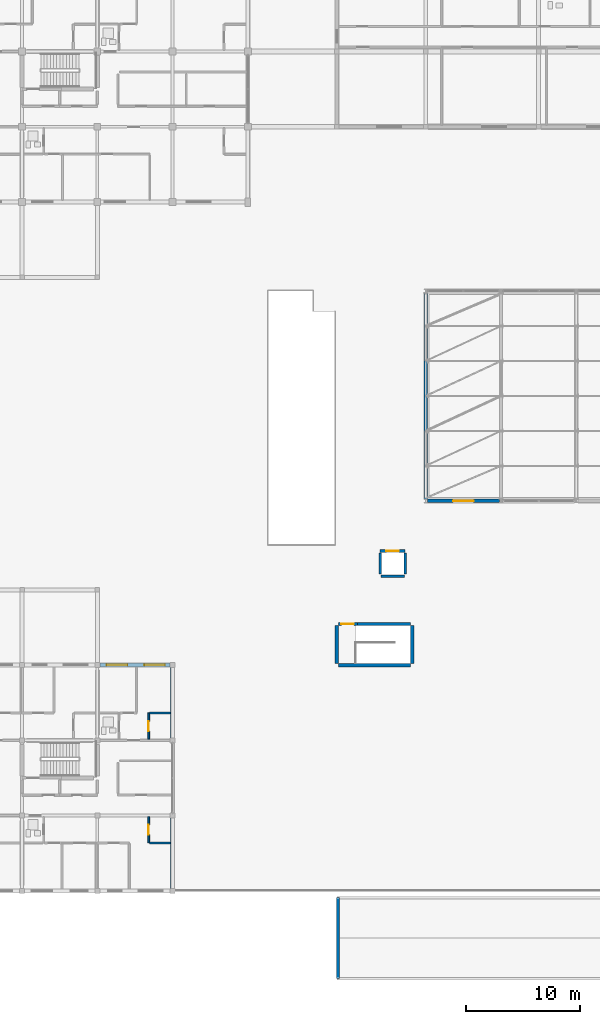
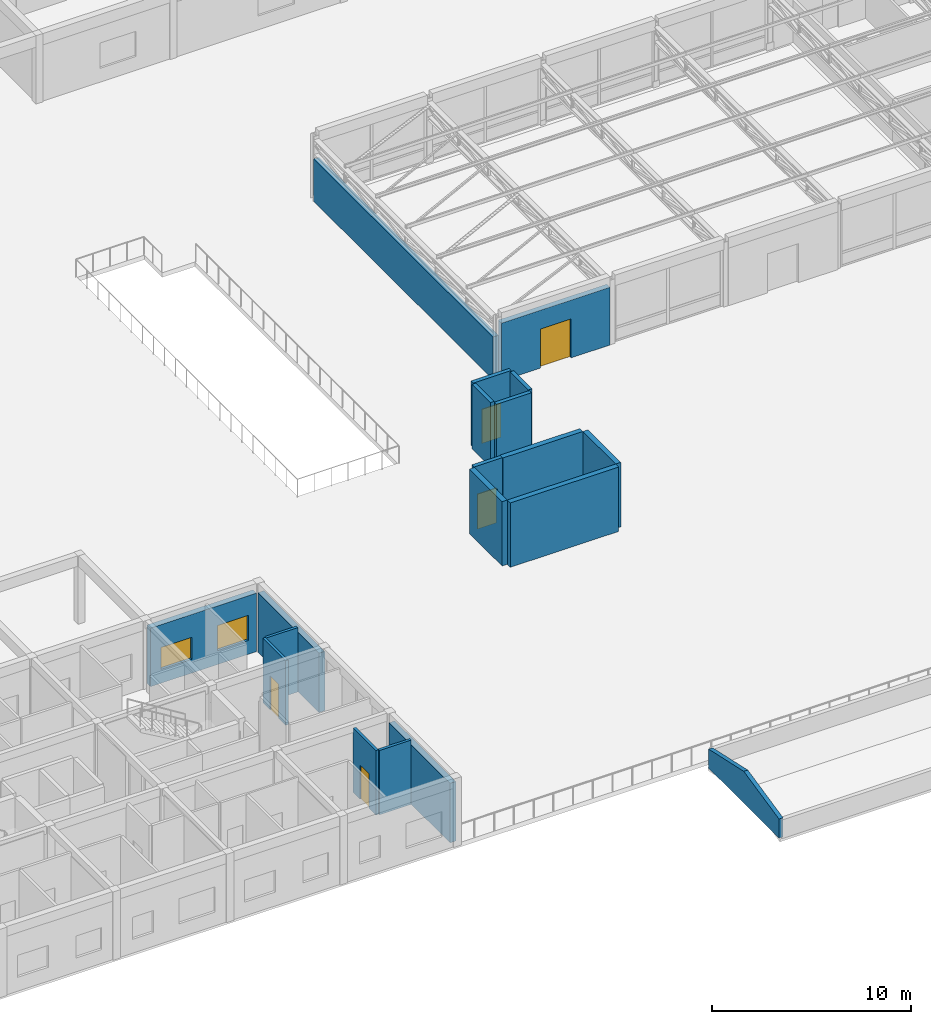
# One storey, part 66 of 92: 19 walls, 5 doors, 2 windows, 7 openings.
"""IFC4 building model written with IfcOpenShell, lengths in metres."""

from ifc_helpers import new_model, si_unit, direction, frame, frame_2d, origin, place, context, subcontext, project, spatial, polyline, rectangle, outline, extrude, material, layer, layer_set, type_object, element, fill, save


model = new_model("IFC4")

# Units and contexts
model_context = context("Model", 3, precision=1e-05, world=origin(), true_north=direction((0.0, 1.0)))
body_context = subcontext(model_context, "Body", "Model", "MODEL_VIEW")
ifc_project = project(units=[si_unit("LENGTHUNIT", "METRE"), si_unit("AREAUNIT", "SQUARE_METRE"), si_unit("VOLUMEUNIT", "CUBIC_METRE"), si_unit("PLANEANGLEUNIT", "RADIAN"), si_unit("MASSUNIT", "GRAM", prefix="KILO")], contexts=[model_context])

# Site, building, storey
site_placement = place(None, origin())
site = spatial("IfcSite", under=ifc_project, at=site_placement, CompositionType="ELEMENT")
building_placement = place(site_placement, origin())
building = spatial("IfcBuilding", under=site, at=building_placement, Name="Kernevlak Ridge Housing Community", CompositionType="ELEMENT")
storey_placement = place(building_placement, frame((0.0, 0.0, 4.199951171875)))
storey = spatial("IfcBuildingStorey", under=building, at=storey_placement, Name="L01", CompositionType="ELEMENT", Elevation=4.199951171875)

# Wall, opening, door
ifc_material_1 = material(Name="Concrete block masonry M10", Category="masonry")
ifc_layer_1 = layer(ifc_material_1, 0.320068359375, Name="Concrete block masonry M10")
ifc_layer_set_1 = layer_set([ifc_layer_1], Name="Concrete block masonry M10")
wall_type_1 = type_object("IfcWallType", Name="EW-02", PredefinedType="STANDARD", material=ifc_layer_set_1)
wall_1_placement = place(storey_placement, frame((64.35009765625, 49.800048828125, 0.0), z_axis=(0.0, 0.0, 1.0), x_axis=(1.0, 0.0, 0.0)))
wall_1 = element("IfcWall", 1, at=wall_1_placement, inside=storey, type_object=wall_type_1, Name="Exterior wall EW-02 L01 912", PredefinedType="STANDARD", context=body_context, shape_type="SweptSolid", body=[
    extrude(rectangle(XDim=6.2998046875, YDim=0.320068359375, at=frame_2d((3.14990234375, 0.0))), origin(), (0.0, 0.0, 1.0), 3.550048828125),
])
opening_1_placement = place(wall_1_placement, frame((2.25, 0.0, 0.0)))
opening_1 = element("IfcOpeningElement", 2, at=opening_1_placement, cuts=wall_1, Name="Opening E813", PredefinedType="OPENING", context=body_context, shape_type="SweptSolid", body=[
    extrude(rectangle(XDim=1.800048828125, YDim=2.39990234375, at=frame_2d((0.89990234375, 1.199951171875))), frame((0.0, 0.169921875, 0.0), z_axis=(0.0, -1.0, 0.0), x_axis=(1.0, 0.0, 0.0)), (0.0, 0.0, 1.0), 0.340087890625),
])
ifc_material_2 = material(Name="Aluminium EN AW-6060 and laminated safety glass", Category="aluminium")
door_type_1 = type_object("IfcDoorType", Name="DT-10", OperationType="DOUBLE_DOOR_SINGLE_SWING", PredefinedType="DOOR", material=ifc_material_2)
door_1_placement = place(opening_1_placement, origin())
door_1 = element("IfcDoor", 3, at=door_1_placement, inside=storey, type_object=door_type_1, Name="Community Hall south plaza exit E813", OperationType="DOUBLE_DOOR_SINGLE_SWING", OverallHeight=2.39990234375, OverallWidth=1.800048828125, PredefinedType="DOOR", context=body_context, shape_type="SweptSolid", body=[
    extrude(rectangle(XDim=1.800048828125, YDim=2.39990234375, at=frame_2d((0.89990234375, 1.199951171875))), frame((0.0, 0.02490234375, 0.0), z_axis=(0.0, -1.0, 0.0), x_axis=(1.0, 0.0, 0.0)), (0.0, 0.0, 1.0), 0.050048828125),
])
fill(opening_1, door_1)

# Wall
wall_2_placement = place(storey_placement, frame((64.199951171875, 49.969970703125, 0.0), z_axis=(0.0, 0.0, 1.0), x_axis=(0.0, 1.0, 0.0)))
element("IfcWall", 4, at=wall_2_placement, inside=storey, type_object=wall_type_1, Name="Exterior wall EW-02 L01 917", PredefinedType="STANDARD", context=body_context, shape_type="SweptSolid", body=[
    extrude(rectangle(XDim=18.06005859375, YDim=0.320068359375, at=frame_2d((9.030029296875, 0.0))), origin(), (0.0, 0.0, 1.0), 2.60009765625),
])

# Wall, openings, windows
ifc_layer_2 = layer(ifc_material_1, 0.340087890625, Name="Concrete block masonry M10")
ifc_layer_set_2 = layer_set([ifc_layer_2], Name="Concrete block masonry M10")
wall_type_2 = type_object("IfcWallType", Name="EW-04", PredefinedType="STANDARD", material=ifc_layer_set_2)
wall_3_placement = place(storey_placement, frame((35.625, 35.39990234375, 0.0), z_axis=(0.0, 0.0, 1.0), x_axis=(1.0, 0.0, 0.0)))
wall_3 = element("IfcWall", 5, at=wall_3_placement, inside=storey, type_object=wall_type_2, Name="Exterior wall EW-04 L01 734", PredefinedType="STANDARD", context=body_context, shape_type="SweptSolid", body=[
    extrude(rectangle(XDim=6.14990234375, YDim=0.340087890625, at=frame_2d((3.074951171875, 0.0))), origin(), (0.0, 0.0, 1.0), 3.60009765625),
])
opening_2_placement = place(wall_3_placement, frame((0.60009765625, 0.0, 0.85009765625)))
opening_2 = element("IfcOpeningElement", 6, at=opening_2_placement, cuts=wall_3, Name="Opening WT-03", PredefinedType="OPENING", context=body_context, shape_type="SweptSolid", body=[
    extrude(rectangle(XDim=1.800048828125, YDim=1.35009765625, at=frame_2d((0.89990234375, 0.675048828125))), frame((0.0, 0.179931640625, 0.0), z_axis=(0.0, -1.0, 0.0), x_axis=(1.0, 0.0, 0.0)), (0.0, 0.0, 1.0), 0.360107421875),
])
opening_3_placement = place(wall_3_placement, frame((3.89990234375, 0.0, 0.85009765625)))
opening_3 = element("IfcOpeningElement", 7, at=opening_3_placement, cuts=wall_3, Name="Opening WT-04", PredefinedType="OPENING", context=body_context, shape_type="SweptSolid", body=[
    extrude(rectangle(XDim=1.800048828125, YDim=1.550048828125, at=frame_2d((0.89990234375, 0.77490234375))), frame((0.0, 0.179931640625, 0.0), z_axis=(0.0, -1.0, 0.0), x_axis=(1.0, 0.0, 0.0)), (0.0, 0.0, 1.0), 0.360107421875),
])
ifc_material_3 = material(Name="Aluminium EN AW-6060 anodised and laminated glass", Category="aluminium")
window_type_1 = type_object("IfcWindowType", Name="WT-03", PartitioningType="SINGLE_PANEL", PredefinedType="WINDOW", material=ifc_material_3)
window_1_placement = place(opening_2_placement, origin())
window_1 = element("IfcWindow", 8, at=window_1_placement, inside=storey, type_object=window_type_1, Name="Window WT-03 L01 604", OverallHeight=1.35009765625, OverallWidth=1.800048828125, PartitioningType="SINGLE_PANEL", PredefinedType="WINDOW", context=body_context, shape_type="SweptSolid", body=[
    extrude(rectangle(XDim=1.800048828125, YDim=1.35009765625, at=frame_2d((0.89990234375, 0.675048828125))), frame((0.0, 0.030029296875, 0.0), z_axis=(0.0, -1.0, 0.0), x_axis=(1.0, 0.0, 0.0)), (0.0, 0.0, 1.0), 0.06005859375),
])
fill(opening_2, window_1)
window_type_2 = type_object("IfcWindowType", Name="WT-04", PartitioningType="SINGLE_PANEL", PredefinedType="WINDOW", material=ifc_material_3)
window_2_placement = place(opening_3_placement, origin())
window_2 = element("IfcWindow", 9, at=window_2_placement, inside=storey, type_object=window_type_2, Name="Window WT-04 L01 605", OverallHeight=1.550048828125, OverallWidth=1.800048828125, PartitioningType="SINGLE_PANEL", PredefinedType="WINDOW", context=body_context, shape_type="SweptSolid", body=[
    extrude(rectangle(XDim=1.800048828125, YDim=1.550048828125, at=frame_2d((0.89990234375, 0.77490234375))), frame((0.0, 0.030029296875, 0.0), z_axis=(0.0, -1.0, 0.0), x_axis=(1.0, 0.0, 0.0)), (0.0, 0.0, 1.0), 0.06005859375),
])
fill(opening_3, window_2)

# Walls
for number, where, z_axis, x_axis, name in (
    (10, (42.0, 15.824951171875, 0.0), (0.0, 0.0, 1.0), (0.0, 1.0, 0.0), "Exterior wall EW-04 L01 737"),
    (11, (42.0, 29.02490234375, 0.0), (0.0, 0.0, 1.0), (0.0, 1.0, 0.0), "Exterior wall EW-04 L01 738"),
):
    element("IfcWall", number, at=place(storey_placement, frame(where, z_axis=z_axis, x_axis=x_axis)), inside=storey, type_object=wall_type_2, Name=name, PredefinedType="STANDARD", context=body_context, shape_type="SweptSolid", body=[
        extrude(rectangle(XDim=6.150146484375, YDim=0.340087890625, at=frame_2d((3.0751953125, 0.0))), origin(), (0.0, 0.0, 1.0), 3.650146484375),
    ])
ifc_material_4 = material(Name="Concrete C35/45", Category="concrete")
ifc_layer_3 = layer(ifc_material_4, 0.235107421875, Name="Concrete C35/45")
ifc_layer_set_3 = layer_set([ifc_layer_3], Name="Concrete C35/45")
wall_type_3 = type_object("IfcWallType", Name="PR-04", PredefinedType="PARAPET", material=ifc_layer_set_3)
wall_4_placement = place(storey_placement, frame((56.5, 15.0, 0.0), z_axis=(0.0, 0.0, 1.0), x_axis=(0.0, -1.0, 0.0)))
element("IfcWall", 12, at=wall_4_placement, inside=storey, type_object=wall_type_3, Name="Retail roof parapet 4", PredefinedType="PARAPET", context=body_context, shape_type="SweptSolid", body=[
    extrude(outline(polyline([(0.0, 0.0), (7.10009765625, 0.0), (7.10009765625, 1.172119140625), (3.550048828125, 1.949951171875), (0.0, 1.172119140625), (0.0, 0.0)])), frame((0.0, 0.11767578125, 0.0), z_axis=(0.0, -1.0, 0.0), x_axis=(1.0, 0.0, 0.0)), (0.0, 0.0, 1.0), 0.235107421875),
])

# Wall, opening, door
ifc_layer_4 = layer(ifc_material_4, 0.22509765625, Name="Concrete C35/45")
ifc_layer_set_4 = layer_set([ifc_layer_4], Name="Concrete C35/45")
wall_type_4 = type_object("IfcWallType", Name="PW-01", PredefinedType="STANDARD", material=ifc_layer_set_4)
wall_5_placement = place(storey_placement, frame((56.550048828125, 39.0, 0.0), z_axis=(0.0, 0.0, 1.0), x_axis=(1.0, 0.0, 0.0)))
wall_5 = element("IfcWall", 13, at=wall_5_placement, inside=storey, type_object=wall_type_4, Name="Interior wall PW-01 WAL-INT-L01-3513", PredefinedType="STANDARD", context=body_context, shape_type="SweptSolid", body=[
    extrude(rectangle(XDim=1.64990234375, YDim=0.22509765625, at=frame_2d((0.824951171875, 0.0))), origin(), (0.0, 0.0, 1.0), 3.9599609375),
])
opening_4_placement = place(wall_5_placement, frame((0.25, 0.0, 0.0)))
opening_4 = element("IfcOpeningElement", 14, at=opening_4_placement, cuts=wall_5, Name="Opening E782", PredefinedType="OPENING", context=body_context, shape_type="SweptSolid", body=[
    extrude(rectangle(XDim=1.10009765625, YDim=2.14990234375, at=frame_2d((0.550048828125, 1.074951171875))), frame((0.0, 0.12255859375, 0.0), z_axis=(0.0, -1.0, 0.0), x_axis=(1.0, 0.0, 0.0)), (0.0, 0.0, 1.0), 0.2451171875),
])
ifc_material_5 = material(Name="Fire-rated sheet steel leaf", Category="steel")
door_type_2 = type_object("IfcDoorType", Name="DT-06", OperationType="NOTDEFINED", PredefinedType="DOOR", material=ifc_material_5)
door_2_placement = place(opening_4_placement, origin())
door_2 = element("IfcDoor", 15, at=door_2_placement, inside=storey, type_object=door_type_2, Name="Podium stair ST-P1 fire door E782", OperationType="SINGLE_SWING_LEFT", OverallHeight=2.14990234375, OverallWidth=1.10009765625, PredefinedType="DOOR", context=body_context, shape_type="SweptSolid", body=[
    extrude(rectangle(XDim=1.10009765625, YDim=2.14990234375, at=frame_2d((0.550048828125, 1.074951171875))), frame((0.0, 0.02490234375, 0.0), z_axis=(0.0, -1.0, 0.0), x_axis=(1.0, 0.0, 0.0)), (0.0, 0.0, 1.0), 0.050048828125),
])
fill(opening_4, door_2)

wall_6_placement = place(storey_placement, frame((60.199951171875, 45.39990234375, 0.0), z_axis=(0.0, 0.0, 1.0), x_axis=(1.0, 0.0, 0.0)))
wall_6 = element("IfcWall", 16, at=wall_6_placement, inside=storey, type_object=wall_type_4, Name="Interior wall PW-01 WAL-INT-L01-3515", PredefinedType="STANDARD", context=body_context, shape_type="SweptSolid", body=[
    extrude(rectangle(XDim=2.199951171875, YDim=0.22509765625, at=frame_2d((1.10009765625, 0.0))), origin(), (0.0, 0.0, 1.0), 3.9599609375),
])
opening_5_placement = place(wall_6_placement, frame((0.550048828125, 0.0, 0.0)))
opening_5 = element("IfcOpeningElement", 17, at=opening_5_placement, cuts=wall_6, Name="Opening LD99", PredefinedType="OPENING", context=body_context, shape_type="SweptSolid", body=[
    extrude(rectangle(XDim=1.10009765625, YDim=2.10009765625, at=frame_2d((0.550048828125, 1.050048828125))), frame((0.0, 0.12255859375, 0.0), z_axis=(0.0, -1.0, 0.0), x_axis=(1.0, 0.0, 0.0)), (0.0, 0.0, 1.0), 0.2451171875),
])
ifc_material_6 = material(Name="Stainless steel EN 1.4401", Category="steel")
door_type_3 = type_object("IfcDoorType", Name="DT-LD1", OperationType="DOUBLE_DOOR_SLIDING", PredefinedType="DOOR", material=ifc_material_6)
door_3_placement = place(opening_5_placement, origin())
door_3 = element("IfcDoor", 18, at=door_3_placement, inside=storey, type_object=door_type_3, Name="Civic podium lift LF-P1 landing door LD99", OperationType="DOUBLE_DOOR_SLIDING", OverallHeight=2.10009765625, OverallWidth=1.10009765625, PredefinedType="DOOR", context=body_context, shape_type="SweptSolid", body=[
    extrude(rectangle(XDim=1.10009765625, YDim=2.10009765625, at=frame_2d((0.550048828125, 1.050048828125))), frame((0.0, 0.02490234375, 0.0), z_axis=(0.0, -1.0, 0.0), x_axis=(1.0, 0.0, 0.0)), (0.0, 0.0, 1.0), 0.050048828125),
])
fill(opening_5, door_3)

# Walls
wall_7_placement = place(storey_placement, frame((60.280029296875, 43.199951171875, 0.0), z_axis=(0.0, 0.0, 1.0), x_axis=(1.0, 0.0, 0.0)))
element("IfcWall", 19, at=wall_7_placement, inside=storey, type_object=wall_type_4, Name="Interior wall PW-01 WAL-INT-L01-3516", PredefinedType="STANDARD", context=body_context, shape_type="SweptSolid", body=[
    extrude(rectangle(XDim=2.0400390625, YDim=0.22509765625, at=frame_2d((1.02001953125, 0.0))), origin(), (0.0, 0.0, 1.0), 3.9599609375),
])
for number, where, z_axis, x_axis, name in (
    (20, (60.199951171875, 43.3798828125, 0.0), (0.0, 0.0, 1.0), (0.0, 1.0, 0.0), "Interior wall PW-01 WAL-INT-L01-3517"),
    (21, (62.39990234375, 43.3798828125, 0.0), (0.0, 0.0, 1.0), (0.0, 1.0, 0.0), "Interior wall PW-01 WAL-INT-L01-3518"),
):
    element("IfcWall", number, at=place(storey_placement, frame(where, z_axis=z_axis, x_axis=x_axis)), inside=storey, type_object=wall_type_4, Name=name, PredefinedType="STANDARD", context=body_context, shape_type="SweptSolid", body=[
        extrude(rectangle(XDim=1.840087890625, YDim=0.22509765625, at=frame_2d((0.919921875, 0.0))), origin(), (0.0, 0.0, 1.0), 3.9599609375),
    ])

# Wall, opening, door
ifc_material_7 = material(Name="Gypsum plasterboard EN 520", Category="gypsum")
ifc_layer_5 = layer(ifc_material_7, 0.155029296875, Name="Gypsum plasterboard EN 520")
ifc_layer_set_5 = layer_set([ifc_layer_5], Name="Gypsum plasterboard EN 520")
wall_type_5 = type_object("IfcWallType", Name="PW-05", PredefinedType="PARTITIONING", material=ifc_layer_set_5)
wall_8_placement = place(storey_placement, frame((39.89990234375, 22.1025390625, 0.0), z_axis=(0.0, 0.0, 1.0), x_axis=(0.0, -1.0, 0.0)))
wall_8 = element("IfcWall", 22, at=wall_8_placement, inside=storey, type_object=wall_type_5, Name="Interior wall PW-05 WAL-INT-L01-3007", PredefinedType="PARTITIONING", context=body_context, shape_type="SweptSolid", body=[
    extrude(rectangle(XDim=2.302490234375, YDim=0.155029296875, at=frame_2d((1.1513671875, 0.0))), origin(), (0.0, 0.0, 1.0), 3.9599609375),
])
opening_6_placement = place(wall_8_placement, frame((0.699951171875, 0.0, 0.0)))
opening_6 = element("IfcOpeningElement", 23, at=opening_6_placement, cuts=wall_8, Name="Opening E524", PredefinedType="OPENING", context=body_context, shape_type="SweptSolid", body=[
    extrude(rectangle(XDim=0.89990234375, YDim=2.10009765625, at=frame_2d((0.449951171875, 1.050048828125))), frame((0.0, 0.08740234375, 0.0), z_axis=(0.0, -1.0, 0.0), x_axis=(1.0, 0.0, 0.0)), (0.0, 0.0, 1.0), 0.175048828125),
])
ifc_material_8 = material(Name="Hardwood timber leaf", Category="wood")
door_type_4 = type_object("IfcDoorType", Name="DT-21", OperationType="NOTDEFINED", PredefinedType="DOOR", material=ifc_material_8)
door_4_placement = place(opening_6_placement, origin())
door_4 = element("IfcDoor", 24, at=door_4_placement, inside=storey, type_object=door_type_4, Name="Flat D0112 kitchen door E524", OperationType="SINGLE_SWING_LEFT", OverallHeight=2.10009765625, OverallWidth=0.89990234375, PredefinedType="DOOR", context=body_context, shape_type="SweptSolid", body=[
    extrude(rectangle(XDim=0.89990234375, YDim=2.10009765625, at=frame_2d((0.449951171875, 1.050048828125))), frame((0.0, 0.02490234375, 0.0), z_axis=(0.0, -1.0, 0.0), x_axis=(1.0, 0.0, 0.0)), (0.0, 0.0, 1.0), 0.050048828125),
])
fill(opening_6, door_4)

# Wall
wall_9_placement = place(storey_placement, frame((39.987548828125, 19.800048828125, 0.0), z_axis=(0.0, 0.0, 1.0), x_axis=(1.0, 0.0, 0.0)))
element("IfcWall", 25, at=wall_9_placement, inside=storey, type_object=wall_type_5, Name="Interior wall PW-05 WAL-INT-L01-3008", PredefinedType="PARTITIONING", context=body_context, shape_type="SweptSolid", body=[
    extrude(rectangle(XDim=1.83251953125, YDim=0.155029296875, at=frame_2d((0.916259765625, 0.0))), origin(), (0.0, 0.0, 1.0), 3.9599609375),
])

# Wall, opening, door
wall_10_placement = place(storey_placement, frame((39.89990234375, 28.8974609375, 0.0), z_axis=(0.0, 0.0, 1.0), x_axis=(0.0, 1.0, 0.0)))
wall_10 = element("IfcWall", 26, at=wall_10_placement, inside=storey, type_object=wall_type_5, Name="Interior wall PW-05 WAL-INT-L01-3037", PredefinedType="PARTITIONING", context=body_context, shape_type="SweptSolid", body=[
    extrude(rectangle(XDim=2.302490234375, YDim=0.155029296875, at=frame_2d((1.1513671875, 0.0))), origin(), (0.0, 0.0, 1.0), 3.9599609375),
])
opening_7_placement = place(wall_10_placement, frame((0.699951171875, 0.0, 0.0)))
opening_7 = element("IfcOpeningElement", 27, at=opening_7_placement, cuts=wall_10, Name="Opening E540", PredefinedType="OPENING", context=body_context, shape_type="SweptSolid", body=[
    extrude(rectangle(XDim=0.8701171875, YDim=2.080078125, at=frame_2d((0.43505859375, 1.0400390625))), frame((0.0, 0.08740234375, 0.0), z_axis=(0.0, -1.0, 0.0), x_axis=(1.0, 0.0, 0.0)), (0.0, 0.0, 1.0), 0.175048828125),
])
door_type_5 = type_object("IfcDoorType", Name="DT-32", OperationType="NOTDEFINED", PredefinedType="DOOR", material=ifc_material_8)
door_5_placement = place(opening_7_placement, origin())
door_5 = element("IfcDoor", 28, at=door_5_placement, inside=storey, type_object=door_type_5, Name="Flat D0123 kitchen door E540", OperationType="SINGLE_SWING_LEFT", OverallHeight=2.080078125, OverallWidth=0.8701171875, PredefinedType="DOOR", context=body_context, shape_type="SweptSolid", body=[
    extrude(rectangle(XDim=0.8701171875, YDim=2.080078125, at=frame_2d((0.43505859375, 1.0400390625))), frame((0.0, 0.02490234375, 0.0), z_axis=(0.0, -1.0, 0.0), x_axis=(1.0, 0.0, 0.0)), (0.0, 0.0, 1.0), 0.050048828125),
])
fill(opening_7, door_5)

# Walls
wall_11_placement = place(storey_placement, frame((39.987548828125, 31.199951171875, 0.0), z_axis=(0.0, 0.0, 1.0), x_axis=(1.0, 0.0, 0.0)))
element("IfcWall", 29, at=wall_11_placement, inside=storey, type_object=wall_type_5, Name="Interior wall PW-05 WAL-INT-L01-3038", PredefinedType="PARTITIONING", context=body_context, shape_type="SweptSolid", body=[
    extrude(rectangle(XDim=1.83251953125, YDim=0.155029296875, at=frame_2d((0.916259765625, 0.0))), origin(), (0.0, 0.0, 1.0), 3.9599609375),
])
ifc_material_9 = material(Name="Concrete C40/50", Category="concrete")
ifc_layer_6 = layer(ifc_material_9, 0.300048828125, Name="Concrete C40/50")
ifc_layer_set_6 = layer_set([ifc_layer_6], Name="Concrete C40/50")
wall_type_6 = type_object("IfcWallType", Name="SW-02", PredefinedType="SHEAR", material=ifc_layer_set_6)
wall_12_placement = place(storey_placement, frame((56.550048828125, 35.39990234375, 0.0), z_axis=(0.0, 0.0, 1.0), x_axis=(1.0, 0.0, 0.0)))
element("IfcWall", 30, at=wall_12_placement, inside=storey, type_object=wall_type_6, Name="Podium stair shear wall ST-P1 L01", PredefinedType="SHEAR", context=body_context, shape_type="SweptSolid", body=[
    extrude(rectangle(XDim=6.300048828125, YDim=0.300048828125, at=frame_2d((3.14990234375, 0.0))), origin(), (0.0, 0.0, 1.0), 3.9599609375),
])
wall_13_placement = place(storey_placement, frame((58.199951171875, 39.0, 0.0), z_axis=(0.0, 0.0, 1.0), x_axis=(1.0, 0.0, 0.0)))
element("IfcWall", 31, at=wall_13_placement, inside=storey, type_object=wall_type_6, Name="Podium stair shear wall ST-P1 L01", PredefinedType="SHEAR", context=body_context, shape_type="SweptSolid", body=[
    extrude(rectangle(XDim=4.650146484375, YDim=0.300048828125, at=frame_2d((2.3251953125, 0.0))), origin(), (0.0, 0.0, 1.0), 3.9599609375),
])
for number, where, z_axis, x_axis, name in (
    (32, (56.39990234375, 35.550048828125, 0.0), (0.0, 0.0, 1.0), (0.0, 1.0, 0.0), "Podium stair shear wall ST-P1 L01"),
    (33, (63.0, 35.550048828125, 0.0), (0.0, 0.0, 1.0), (0.0, 1.0, 0.0), "Podium stair shear wall ST-P1 L01"),
):
    element("IfcWall", number, at=place(storey_placement, frame(where, z_axis=z_axis, x_axis=x_axis)), inside=storey, type_object=wall_type_6, Name=name, PredefinedType="SHEAR", context=body_context, shape_type="SweptSolid", body=[
        extrude(rectangle(XDim=3.300048828125, YDim=0.300048828125, at=frame_2d((1.64990234375, 0.0))), origin(), (0.0, 0.0, 1.0), 3.9599609375),
    ])

save(model, "model.ifc")
